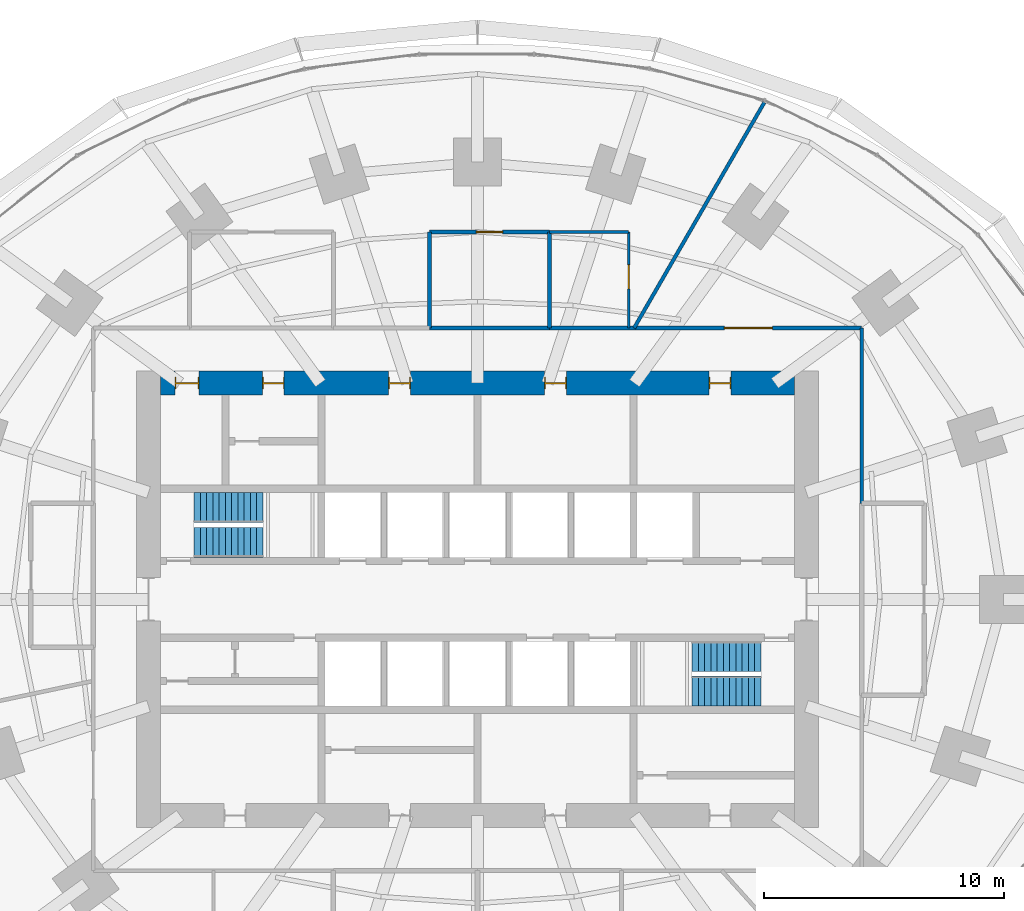
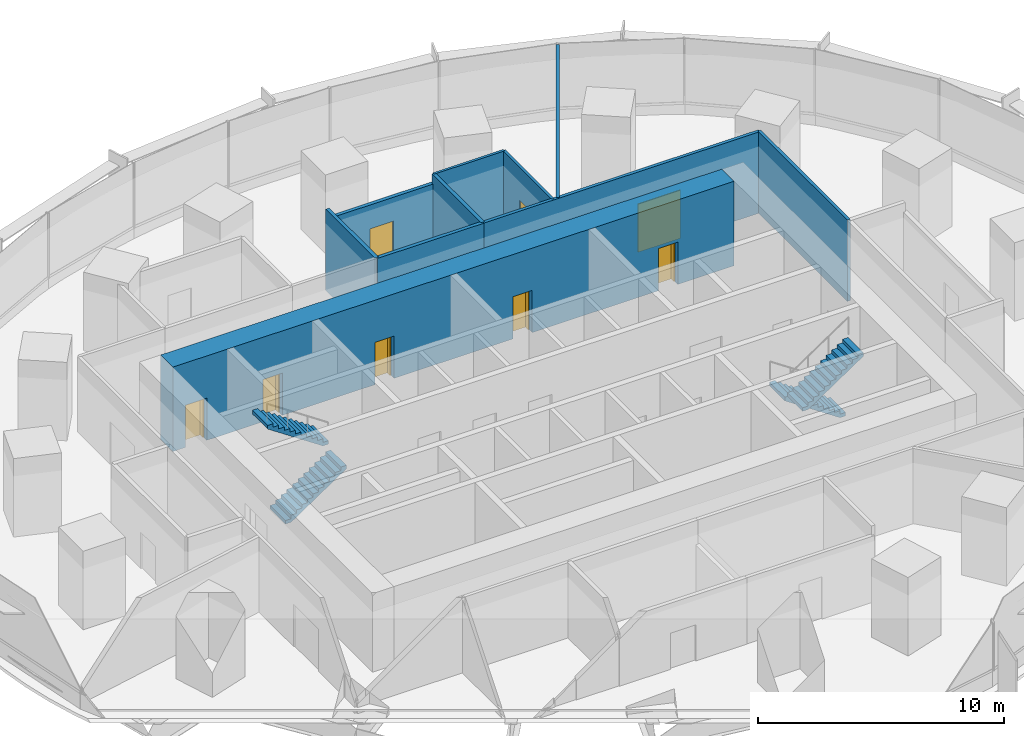
# One storey, part 13 of 15: 10 walls, 8 doors, 4 stair flights, 8 openings, 2 elements without a shape of their own.
"""IFC4 building model written with IfcOpenShell, lengths in metres."""

from ifc_helpers import new_model, si_unit, direction, frame, frame_2d, origin, place, context, subcontext, project, spatial, polyline, rectangle, outline, extrude, material, layer, layer_set, type_object, element, fill, aggregate, save


model = new_model("IFC4")

# Units and contexts
model_context = context("Model", 3, precision=1e-05, world=origin(), true_north=direction((0.0, 1.0)))
body_context = subcontext(model_context, "Body", "Model", "MODEL_VIEW")
ifc_project = project(units=[si_unit("LENGTHUNIT", "METRE"), si_unit("AREAUNIT", "SQUARE_METRE"), si_unit("VOLUMEUNIT", "CUBIC_METRE"), si_unit("PLANEANGLEUNIT", "RADIAN"), si_unit("MASSUNIT", "GRAM", prefix="KILO")], contexts=[model_context])

# Site, building, storey
site_placement = place(None, origin())
site = spatial("IfcSite", under=ifc_project, at=site_placement, CompositionType="ELEMENT")
building_placement = place(site_placement, origin())
building = spatial("IfcBuilding", under=site, at=building_placement, Name="Marramba Exchange Tower", CompositionType="ELEMENT")
storey_placement = place(building_placement, frame((0.0, 0.0, 53.199951171875)))
storey = spatial("IfcBuildingStorey", under=building, at=storey_placement, Name="L12", CompositionType="ELEMENT", Elevation=53.199951171875)

# Walls
ifc_material_1 = material(Name="Plasterboard on staggered double steel studs, acoustic insulation", Category="steel")
ifc_layer_1 = layer(ifc_material_1, 0.169921875)
ifc_layer_set_1 = layer_set([ifc_layer_1], Name="Acoustic partition 170")
wall_type_1 = type_object("IfcWallType", Name="Acoustic partition 170", PredefinedType="PARTITIONING", material=ifc_layer_set_1)
wall_1_placement = place(storey_placement, frame((3.0, 15.300048828125, 0.0), z_axis=(0.0, 0.0, 1.0), x_axis=(0.0, -1.0, 0.0)))
element("IfcWall", 1, at=wall_1_placement, inside=storey, type_object=wall_type_1, Name="Acoustic partition L12 26", PredefinedType="PARTITIONING", context=body_context, shape_type="SweptSolid", body=[
    extrude(rectangle(XDim=4.0, YDim=0.169921875, at=frame_2d((2.0, 0.0))), origin(), (0.0, 0.0, 1.0), 4.0400390625),
])
wall_2_placement = place(storey_placement, frame((-2.0, 11.300048828125, 0.0), z_axis=(0.0, 0.0, 1.0), x_axis=(1.0, 0.0, 0.0)))
element("IfcWall", 2, at=wall_2_placement, inside=storey, type_object=wall_type_1, Name="Acoustic partition L12 27", PredefinedType="PARTITIONING", context=body_context, shape_type="SweptSolid", body=[
    extrude(rectangle(XDim=5.0, YDim=0.169921875, at=frame_2d((2.5, 0.0))), origin(), (0.0, 0.0, 1.0), 4.0400390625),
])

# Wall, opening, door
wall_3_placement = place(storey_placement, frame((3.0, 15.300048828125, 0.0), z_axis=(0.0, 0.0, 1.0), x_axis=(-1.0, 0.0, 0.0)))
wall_3 = element("IfcWall", 3, at=wall_3_placement, inside=storey, type_object=wall_type_1, Name="Acoustic partition L12 28", PredefinedType="PARTITIONING", context=body_context, shape_type="SweptSolid", body=[
    extrude(rectangle(XDim=5.0, YDim=0.169921875, at=frame_2d((2.5, 0.0))), origin(), (0.0, 0.0, 1.0), 3.5859375),
])
opening_1_placement = place(wall_3_placement, frame((1.949951171875, 0.0, 0.0)))
opening_1 = element("IfcOpeningElement", 4, at=opening_1_placement, cuts=wall_3, Name="Opening D15", PredefinedType="OPENING", context=body_context, shape_type="SweptSolid", body=[
    extrude(rectangle(XDim=1.10009765625, YDim=2.39990234375, at=frame_2d((0.550048828125, 1.199951171875))), frame((0.0, 0.094970703125, 0.0), z_axis=(0.0, -1.0, 0.0), x_axis=(1.0, 0.0, 0.0)), (0.0, 0.0, 1.0), 0.18994140625),
])
ifc_material_2 = material(Name="Timber door", Category="wood")
door_type_1 = type_object("IfcDoorType", Name="Glazed meeting room door 1100x2400", OperationType="SINGLE_SWING_LEFT", PredefinedType="DOOR", material=ifc_material_2)
door_1_placement = place(opening_1_placement, origin())
door_1 = element("IfcDoor", 5, at=door_1_placement, inside=storey, type_object=door_type_1, Name="D15 Meeting Room 1 L12", OperationType="SINGLE_SWING_RIGHT", OverallHeight=2.39990234375, OverallWidth=1.10009765625, PredefinedType="DOOR", context=body_context, shape_type="SweptSolid", body=[
    extrude(rectangle(XDim=1.10009765625, YDim=2.39990234375, at=frame_2d((0.550048828125, 1.199951171875))), frame((0.0, 0.02490234375, 0.0), z_axis=(0.0, -1.0, 0.0), x_axis=(1.0, 0.0, 0.0)), (0.0, 0.0, 1.0), 0.050048828125),
])
fill(opening_1, door_1)

# Wall
wall_4_placement = place(storey_placement, frame((-2.0, 15.300048828125, 0.0), z_axis=(0.0, 0.0, 1.0), x_axis=(0.0, -1.0, 0.0)))
element("IfcWall", 6, at=wall_4_placement, inside=storey, type_object=wall_type_1, Name="Acoustic partition L12 29", PredefinedType="PARTITIONING", context=body_context, shape_type="SweptSolid", body=[
    extrude(rectangle(XDim=4.0, YDim=0.169921875, at=frame_2d((2.0, 0.0))), origin(), (0.0, 0.0, 1.0), 4.0400390625),
])

# Wall, openings, doors
ifc_material_3 = material(Name="Concrete N50", Category="concrete")
ifc_layer_2 = layer(ifc_material_3, 1.0)
ifc_layer_set_2 = layer_set([ifc_layer_2], Name="Core wall 1000")
wall_type_2 = type_object("IfcWallType", Name="Core wall 1000", PredefinedType="SHEAR", material=ifc_layer_set_2)
wall_5_placement = place(storey_placement, frame((13.199951171875, 9.0, 0.0), z_axis=(0.0, 0.0, 1.0), x_axis=(-1.0, 0.0, 0.0)))
wall_5 = element("IfcWall", 7, at=wall_5_placement, inside=storey, type_object=wall_type_2, Name="Core wall N L12", PredefinedType="SHEAR", context=body_context, shape_type="SweptSolid", body=[
    extrude(rectangle(XDim=26.39990234375, YDim=1.0, at=frame_2d((13.199951171875, 0.0))), origin(), (0.0, 0.0, 1.0), 4.199951171875),
])
opening_2_placement = place(wall_5_placement, frame((2.64990234375, 0.0, 0.0)))
opening_2 = element("IfcOpeningElement", 8, at=opening_2_placement, cuts=wall_5, Name="Opening D5", PredefinedType="OPENING", context=body_context, shape_type="SweptSolid", body=[
    extrude(rectangle(XDim=0.89990234375, YDim=2.10009765625, at=frame_2d((0.449951171875, 1.050048828125))), frame((0.0, 0.510009765625, 0.0), z_axis=(0.0, -1.0, 0.0), x_axis=(1.0, 0.0, 0.0)), (0.0, 0.0, 1.0), 1.02001953125),
])
opening_3_placement = place(wall_5_placement, frame((9.5, 0.0, 0.0)))
opening_3 = element("IfcOpeningElement", 9, at=opening_3_placement, cuts=wall_5, Name="Opening D3", PredefinedType="OPENING", context=body_context, shape_type="SweptSolid", body=[
    extrude(rectangle(XDim=0.89990234375, YDim=2.10009765625, at=frame_2d((0.449951171875, 1.050048828125))), frame((0.0, 0.510009765625, 0.0), z_axis=(0.0, -1.0, 0.0), x_axis=(1.0, 0.0, 0.0)), (0.0, 0.0, 1.0), 1.02001953125),
])
opening_4_placement = place(wall_5_placement, frame((16.0, 0.0, 0.0)))
opening_4 = element("IfcOpeningElement", 10, at=opening_4_placement, cuts=wall_5, Name="Opening D3", PredefinedType="OPENING", context=body_context, shape_type="SweptSolid", body=[
    extrude(rectangle(XDim=0.89990234375, YDim=2.10009765625, at=frame_2d((0.449951171875, 1.050048828125))), frame((0.0, 0.510009765625, 0.0), z_axis=(0.0, -1.0, 0.0), x_axis=(1.0, 0.0, 0.0)), (0.0, 0.0, 1.0), 1.02001953125),
])
opening_5_placement = place(wall_5_placement, frame((21.25, 0.0, 0.0)))
opening_5 = element("IfcOpeningElement", 11, at=opening_5_placement, cuts=wall_5, Name="Opening D5", PredefinedType="OPENING", context=body_context, shape_type="SweptSolid", body=[
    extrude(rectangle(XDim=0.89990234375, YDim=2.10009765625, at=frame_2d((0.449951171875, 1.050048828125))), frame((0.0, 0.510009765625, 0.0), z_axis=(0.0, -1.0, 0.0), x_axis=(1.0, 0.0, 0.0)), (0.0, 0.0, 1.0), 1.02001953125),
])
opening_6_placement = place(wall_5_placement, frame((24.800048828125, 0.0, 0.0)))
opening_6 = element("IfcOpeningElement", 12, at=opening_6_placement, cuts=wall_5, Name="Opening D4", PredefinedType="OPENING", context=body_context, shape_type="SweptSolid", body=[
    extrude(rectangle(XDim=1.0, YDim=2.10009765625, at=frame_2d((0.5, 1.050048828125))), frame((0.0, 0.510009765625, 0.0), z_axis=(0.0, -1.0, 0.0), x_axis=(1.0, 0.0, 0.0)), (0.0, 0.0, 1.0), 1.02001953125),
])
ifc_material_4 = material(Name="Steel-framed door", Category="steel")
door_type_2 = type_object("IfcDoorType", Name="Accessible toilet door 1000x2100", OperationType="SINGLE_SWING_LEFT", PredefinedType="DOOR", material=ifc_material_4)
door_2_placement = place(opening_6_placement, origin())
door_2 = element("IfcDoor", 13, at=door_2_placement, inside=storey, type_object=door_type_2, Name="D4 awc L12", OperationType="SINGLE_SWING_RIGHT", OverallHeight=2.10009765625, OverallWidth=1.0, PredefinedType="DOOR", context=body_context, shape_type="SweptSolid", body=[
    extrude(rectangle(XDim=0.919921875, YDim=2.06005859375, at=frame_2d((0.5, 1.030029296875))), frame((0.0, 0.02490234375, 0.0), z_axis=(0.0, -1.0, 0.0), x_axis=(1.0, 0.0, 0.0)), (0.0, 0.0, 1.0), 0.050048828125),
    extrude(rectangle(XDim=0.04, YDim=2.10009765625, at=frame_2d((0.02001953125, 1.050048828125))), frame((0.0, 0.25, 0.0), z_axis=(0.0, -1.0, 0.0), x_axis=(1.0, 0.0, 0.0)), (0.0, 0.0, 1.0), 0.5),
    extrude(rectangle(XDim=0.04, YDim=2.10009765625, at=frame_2d((0.97998046875, 1.050048828125))), frame((0.0, 0.25, 0.0), z_axis=(0.0, -1.0, 0.0), x_axis=(1.0, 0.0, 0.0)), (0.0, 0.0, 1.0), 0.5),
    extrude(rectangle(XDim=0.919921875, YDim=0.04, at=frame_2d((0.5, 2.080078125))), frame((0.0, 0.25, 0.0), z_axis=(0.0, -1.0, 0.0), x_axis=(1.0, 0.0, 0.0)), (0.0, 0.0, 1.0), 0.5),
])
fill(opening_6, door_2)
door_type_3 = type_object("IfcDoorType", Name="Service door 900x2100", OperationType="SINGLE_SWING_LEFT", PredefinedType="DOOR", material=ifc_material_4)
door_3_placement = place(opening_2_placement, origin())
door_3 = element("IfcDoor", 14, at=door_3_placement, inside=storey, type_object=door_type_3, Name="D5 comms L12", OperationType="SINGLE_SWING_LEFT", OverallHeight=2.10009765625, OverallWidth=0.89990234375, PredefinedType="DOOR", context=body_context, shape_type="SweptSolid", body=[
    extrude(rectangle(XDim=0.81982421875, YDim=2.06005859375, at=frame_2d((0.449951171875, 1.030029296875))), frame((0.0, 0.02490234375, 0.0), z_axis=(0.0, -1.0, 0.0), x_axis=(1.0, 0.0, 0.0)), (0.0, 0.0, 1.0), 0.050048828125),
    extrude(rectangle(XDim=0.04, YDim=2.10009765625, at=frame_2d((0.02001953125, 1.050048828125))), frame((0.0, 0.25, 0.0), z_axis=(0.0, -1.0, 0.0), x_axis=(1.0, 0.0, 0.0)), (0.0, 0.0, 1.0), 0.5),
    extrude(rectangle(XDim=0.04, YDim=2.10009765625, at=frame_2d((0.8798828125, 1.050048828125))), frame((0.0, 0.25, 0.0), z_axis=(0.0, -1.0, 0.0), x_axis=(1.0, 0.0, 0.0)), (0.0, 0.0, 1.0), 0.5),
    extrude(rectangle(XDim=0.81982421875, YDim=0.04, at=frame_2d((0.449951171875, 2.080078125))), frame((0.0, 0.25, 0.0), z_axis=(0.0, -1.0, 0.0), x_axis=(1.0, 0.0, 0.0)), (0.0, 0.0, 1.0), 0.5),
])
fill(opening_2, door_3)
door_4_placement = place(opening_5_placement, origin())
door_4 = element("IfcDoor", 15, at=door_4_placement, inside=storey, type_object=door_type_3, Name="D5 cleaner L12", OperationType="SINGLE_SWING_RIGHT", OverallHeight=2.10009765625, OverallWidth=0.89990234375, PredefinedType="DOOR", context=body_context, shape_type="SweptSolid", body=[
    extrude(rectangle(XDim=0.81982421875, YDim=2.06005859375, at=frame_2d((0.449951171875, 1.030029296875))), frame((0.0, 0.02490234375, 0.0), z_axis=(0.0, -1.0, 0.0), x_axis=(1.0, 0.0, 0.0)), (0.0, 0.0, 1.0), 0.050048828125),
    extrude(rectangle(XDim=0.04, YDim=2.10009765625, at=frame_2d((0.02001953125, 1.050048828125))), frame((0.0, 0.25, 0.0), z_axis=(0.0, -1.0, 0.0), x_axis=(1.0, 0.0, 0.0)), (0.0, 0.0, 1.0), 0.5),
    extrude(rectangle(XDim=0.04, YDim=2.10009765625, at=frame_2d((0.8798828125, 1.050048828125))), frame((0.0, 0.25, 0.0), z_axis=(0.0, -1.0, 0.0), x_axis=(1.0, 0.0, 0.0)), (0.0, 0.0, 1.0), 0.5),
    extrude(rectangle(XDim=0.81982421875, YDim=0.04, at=frame_2d((0.449951171875, 2.080078125))), frame((0.0, 0.25, 0.0), z_axis=(0.0, -1.0, 0.0), x_axis=(1.0, 0.0, 0.0)), (0.0, 0.0, 1.0), 0.5),
])
fill(opening_5, door_4)
door_type_4 = type_object("IfcDoorType", Name="Toilet door 900x2100", OperationType="SINGLE_SWING_LEFT", PredefinedType="DOOR", material=ifc_material_4)
door_5_placement = place(opening_3_placement, origin())
door_5 = element("IfcDoor", 16, at=door_5_placement, inside=storey, type_object=door_type_4, Name="D3 wc-f L12", OperationType="SINGLE_SWING_RIGHT", OverallHeight=2.10009765625, OverallWidth=0.89990234375, PredefinedType="DOOR", context=body_context, shape_type="SweptSolid", body=[
    extrude(rectangle(XDim=0.81982421875, YDim=2.06005859375, at=frame_2d((0.449951171875, 1.030029296875))), frame((0.0, 0.02490234375, 0.0), z_axis=(0.0, -1.0, 0.0), x_axis=(1.0, 0.0, 0.0)), (0.0, 0.0, 1.0), 0.050048828125),
    extrude(rectangle(XDim=0.04, YDim=2.10009765625, at=frame_2d((0.02001953125, 1.050048828125))), frame((0.0, 0.25, 0.0), z_axis=(0.0, -1.0, 0.0), x_axis=(1.0, 0.0, 0.0)), (0.0, 0.0, 1.0), 0.5),
    extrude(rectangle(XDim=0.04, YDim=2.10009765625, at=frame_2d((0.8798828125, 1.050048828125))), frame((0.0, 0.25, 0.0), z_axis=(0.0, -1.0, 0.0), x_axis=(1.0, 0.0, 0.0)), (0.0, 0.0, 1.0), 0.5),
    extrude(rectangle(XDim=0.81982421875, YDim=0.04, at=frame_2d((0.449951171875, 2.080078125))), frame((0.0, 0.25, 0.0), z_axis=(0.0, -1.0, 0.0), x_axis=(1.0, 0.0, 0.0)), (0.0, 0.0, 1.0), 0.5),
])
fill(opening_3, door_5)
door_6_placement = place(opening_4_placement, origin())
door_6 = element("IfcDoor", 17, at=door_6_placement, inside=storey, type_object=door_type_4, Name="D3 wc-m L12", OperationType="SINGLE_SWING_RIGHT", OverallHeight=2.10009765625, OverallWidth=0.89990234375, PredefinedType="DOOR", context=body_context, shape_type="SweptSolid", body=[
    extrude(rectangle(XDim=0.81982421875, YDim=2.06005859375, at=frame_2d((0.449951171875, 1.030029296875))), frame((0.0, 0.02490234375, 0.0), z_axis=(0.0, -1.0, 0.0), x_axis=(1.0, 0.0, 0.0)), (0.0, 0.0, 1.0), 0.050048828125),
    extrude(rectangle(XDim=0.04, YDim=2.10009765625, at=frame_2d((0.02001953125, 1.050048828125))), frame((0.0, 0.25, 0.0), z_axis=(0.0, -1.0, 0.0), x_axis=(1.0, 0.0, 0.0)), (0.0, 0.0, 1.0), 0.5),
    extrude(rectangle(XDim=0.04, YDim=2.10009765625, at=frame_2d((0.8798828125, 1.050048828125))), frame((0.0, 0.25, 0.0), z_axis=(0.0, -1.0, 0.0), x_axis=(1.0, 0.0, 0.0)), (0.0, 0.0, 1.0), 0.5),
    extrude(rectangle(XDim=0.81982421875, YDim=0.04, at=frame_2d((0.449951171875, 2.080078125))), frame((0.0, 0.25, 0.0), z_axis=(0.0, -1.0, 0.0), x_axis=(1.0, 0.0, 0.0)), (0.0, 0.0, 1.0), 0.5),
])
fill(opening_4, door_6)

# Wall, opening, door
ifc_material_5 = material(Name="Plasterboard on steel studs", Category="steel")
ifc_layer_3 = layer(ifc_material_5, 0.1201171875)
ifc_layer_set_3 = layer_set([ifc_layer_3], Name="Partition 120")
wall_type_3 = type_object("IfcWallType", Name="Partition 120", PredefinedType="PARTITIONING", material=ifc_layer_set_3)
wall_6_placement = place(storey_placement, frame((6.300048828125, 11.300048828125, 0.0), z_axis=(0.0, 0.0, 1.0), x_axis=(0.0, 1.0, 0.0)))
wall_6 = element("IfcWall", 18, at=wall_6_placement, inside=storey, type_object=wall_type_3, Name="Partition L12 24", PredefinedType="PARTITIONING", context=body_context, shape_type="SweptSolid", body=[
    extrude(rectangle(XDim=4.0, YDim=0.1201171875, at=frame_2d((2.0, 0.0))), origin(), (0.0, 0.0, 1.0), 4.0400390625),
])
opening_7_placement = place(wall_6_placement, frame((1.6279296875, 0.0, 0.0)))
opening_7 = element("IfcOpeningElement", 19, at=opening_7_placement, cuts=wall_6, Name="Opening D9", PredefinedType="OPENING", context=body_context, shape_type="SweptSolid", body=[
    extrude(rectangle(XDim=1.0, YDim=2.39990234375, at=frame_2d((0.5, 1.199951171875))), frame((0.0, 0.070068359375, 0.0), z_axis=(0.0, -1.0, 0.0), x_axis=(1.0, 0.0, 0.0)), (0.0, 0.0, 1.0), 0.14013671875),
])
door_type_5 = type_object("IfcDoorType", Name="Room door 1000x2400", OperationType="SINGLE_SWING_LEFT", PredefinedType="DOOR", material=ifc_material_2)
door_7_placement = place(opening_7_placement, origin())
door_7 = element("IfcDoor", 20, at=door_7_placement, inside=storey, type_object=door_type_5, Name="D9 Pantry 1 L12", OperationType="SINGLE_SWING_RIGHT", OverallHeight=2.39990234375, OverallWidth=1.0, PredefinedType="DOOR", context=body_context, shape_type="SweptSolid", body=[
    extrude(rectangle(XDim=1.0, YDim=2.39990234375, at=frame_2d((0.5, 1.199951171875))), frame((0.0, 0.02490234375, 0.0), z_axis=(0.0, -1.0, 0.0), x_axis=(1.0, 0.0, 0.0)), (0.0, 0.0, 1.0), 0.050048828125),
])
fill(opening_7, door_7)

# Walls
wall_7_placement = place(storey_placement, frame((6.300048828125, 15.300048828125, 0.0), z_axis=(0.0, 0.0, 1.0), x_axis=(-1.0, 0.0, 0.0)))
element("IfcWall", 21, at=wall_7_placement, inside=storey, type_object=wall_type_3, Name="Partition L12 25", PredefinedType="PARTITIONING", context=body_context, shape_type="SweptSolid", body=[
    extrude(rectangle(XDim=3.300048828125, YDim=0.1201171875, at=frame_2d((1.64990234375, 0.0))), origin(), (0.0, 0.0, 1.0), 4.0400390625),
])
ifc_material_6 = material(Name="Fire-rated plasterboard on steel studs, acoustic insulation", Category="steel")
ifc_layer_4 = layer(ifc_material_6, 0.14990234375)
ifc_layer_set_4 = layer_set([ifc_layer_4], Name="Tenancy wall 150")
wall_type_4 = type_object("IfcWallType", Name="Tenancy wall 150", PredefinedType="PARTITIONING", material=ifc_layer_set_4)
wall_8_placement = place(storey_placement, frame((16.0, 4.0, 0.0), z_axis=(0.0, 0.0, 1.0), x_axis=(0.0, 1.0, 0.0)))
element("IfcWall", 22, at=wall_8_placement, inside=storey, type_object=wall_type_4, Name="Tenancy wall L12 21", PredefinedType="PARTITIONING", context=body_context, shape_type="SweptSolid", body=[
    extrude(rectangle(XDim=7.300048828125, YDim=0.14990234375, at=frame_2d((3.64990234375, 0.0))), origin(), (0.0, 0.0, 1.0), 4.0400390625),
])

# Wall, opening, door
wall_9_placement = place(storey_placement, frame((16.0, 11.300048828125, 0.0), z_axis=(0.0, 0.0, 1.0), x_axis=(-1.0, 0.0, 0.0)))
wall_9 = element("IfcWall", 23, at=wall_9_placement, inside=storey, type_object=wall_type_4, Name="Tenancy wall L12 22", PredefinedType="PARTITIONING", context=body_context, shape_type="SweptSolid", body=[
    extrude(rectangle(XDim=13.0, YDim=0.14990234375, at=frame_2d((6.5, 0.0))), origin(), (0.0, 0.0, 1.0), 4.0400390625),
])
opening_8_placement = place(wall_9_placement, frame((3.712890625, 0.0, 0.0)))
opening_8 = element("IfcOpeningElement", 24, at=opening_8_placement, cuts=wall_9, Name="Opening D17", PredefinedType="OPENING", context=body_context, shape_type="SweptSolid", body=[
    extrude(rectangle(XDim=2.0, YDim=2.39990234375, at=frame_2d((1.0, 1.199951171875))), frame((0.0, 0.0849609375, 0.0), z_axis=(0.0, -1.0, 0.0), x_axis=(1.0, 0.0, 0.0)), (0.0, 0.0, 1.0), 0.169921875),
])
door_type_6 = type_object("IfcDoorType", Name="Trading floor entry door pair 2000x2400", OperationType="DOUBLE_DOOR_SINGLE_SWING", PredefinedType="DOOR", material=ifc_material_4)
door_8_placement = place(opening_8_placement, origin())
door_8 = element("IfcDoor", 25, at=door_8_placement, inside=storey, type_object=door_type_6, Name="D17 Trading Floor 1 L12", OperationType="DOUBLE_DOOR_SINGLE_SWING", OverallHeight=2.39990234375, OverallWidth=2.0, PredefinedType="DOOR", context=body_context, shape_type="SweptSolid", body=[
    extrude(rectangle(XDim=2.0, YDim=2.39990234375, at=frame_2d((1.0, 1.199951171875))), frame((0.0, 0.02490234375, 0.0), z_axis=(0.0, -1.0, 0.0), x_axis=(1.0, 0.0, 0.0)), (0.0, 0.0, 1.0), 0.050048828125),
])
fill(opening_8, door_8)

# Wall
wall_10_placement = place(storey_placement, frame((6.524169921875, 11.300048828125, 0.0), z_axis=(0.0, 0.0, 1.0), x_axis=(0.499989292232, 0.866031585829, 0.0)))
element("IfcWall", 26, at=wall_10_placement, inside=storey, type_object=wall_type_4, Name="Tenancy wall L12 23", PredefinedType="PARTITIONING", context=body_context, shape_type="SweptSolid", body=[
    extrude(rectangle(XDim=10.850341796875, YDim=0.14990234375, at=frame_2d((5.42529296875, 0.0))), origin(), (0.0, 0.0, 1.0), 4.0400390625),
])

# Stair, stair flights
ifc_material_7 = material(Name="Concrete N40 (40 MPa)", Category="concrete")
stair_type_1 = type_object("IfcStairType", Name="Exit stair ST1 4200 x 1250", PredefinedType="HALF_TURN_STAIR", material=ifc_material_7)
stair_1_placement = place(storey_placement, origin())
stair_1 = element("IfcStair", 27, at=stair_1_placement, inside=storey, type_object=stair_type_1, Name="Exit stair ST1 L12", PredefinedType="HALF_TURN_STAIR")
stair_flight_type_1 = type_object("IfcStairFlightType", Name="ST1 stair flight 1750 riser 1250 wide", PredefinedType="STRAIGHT", material=ifc_material_7)
stair_flight_1_placement = place(storey_placement, frame((-11.800048828125, 2.375, 0.0), z_axis=(0.0, 0.0, 1.0), x_axis=(1.0, 0.0, 0.0)))
stair_flight_1 = element("IfcStairFlight", 28, at=stair_flight_1_placement, type_object=stair_flight_type_1, Name="ST1 flight 1", NumberOfRisers=12, NumberOfTreads=11, PredefinedType="STRAIGHT", RiserHeight=0.175, TreadLength=0.26, context=body_context, shape_type="SweptSolid", body=[
    extrude(outline(polyline([(0.0, 0.0), (0.0, 0.175048828125), (0.260009765625, 0.175048828125), (0.260009765625, 0.35009765625), (0.52001953125, 0.35009765625), (0.52001953125, 0.52490234375), (0.780029296875, 0.52490234375), (0.780029296875, 0.699951171875), (1.0400390625, 0.699951171875), (1.0400390625, 0.875), (1.300048828125, 0.875), (1.300048828125, 1.050048828125), (1.56005859375, 1.050048828125), (1.56005859375, 1.22509765625), (1.820068359375, 1.22509765625), (1.820068359375, 1.39990234375), (2.080078125, 1.39990234375), (2.080078125, 1.574951171875), (2.340087890625, 1.574951171875), (2.340087890625, 1.75), (2.60009765625, 1.75), (2.60009765625, 1.925048828125), (2.860107421875, 1.925048828125), (2.860107421875, 2.10009765625), (2.860107421875, 1.744384765625), (0.2685546875, 0.0), (0.0, 0.0)])), frame((0.0, 0.625, 0.0), z_axis=(0.0, -1.0, 0.0), x_axis=(1.0, 0.0, 0.0)), (0.0, 0.0, 1.0), 1.25),
])
stair_flight_2_placement = place(storey_placement, frame((-8.93994140625, 3.824951171875, 2.10009765625), z_axis=(0.0, 0.0, 1.0), x_axis=(-1.0, 0.0, 0.0)))
stair_flight_2 = element("IfcStairFlight", 29, at=stair_flight_2_placement, type_object=stair_flight_type_1, Name="ST1 flight 2", NumberOfRisers=12, NumberOfTreads=11, PredefinedType="STRAIGHT", RiserHeight=0.175, TreadLength=0.26, context=body_context, shape_type="SweptSolid", body=[
    extrude(outline(polyline([(0.0, 0.0), (0.0, 0.175048828125), (0.260009765625, 0.175048828125), (0.260009765625, 0.35009765625), (0.52001953125, 0.35009765625), (0.52001953125, 0.52490234375), (0.780029296875, 0.52490234375), (0.780029296875, 0.699951171875), (1.0400390625, 0.699951171875), (1.0400390625, 0.875), (1.300048828125, 0.875), (1.300048828125, 1.050048828125), (1.56005859375, 1.050048828125), (1.56005859375, 1.22509765625), (1.820068359375, 1.22509765625), (1.820068359375, 1.39990234375), (2.080078125, 1.39990234375), (2.080078125, 1.574951171875), (2.340087890625, 1.574951171875), (2.340087890625, 1.75), (2.60009765625, 1.75), (2.60009765625, 1.925048828125), (2.860107421875, 1.925048828125), (2.860107421875, 2.10009765625), (2.860107421875, 1.744384765625), (0.2685546875, 0.0), (0.0, 0.0)])), frame((0.0, 0.625, 0.0), z_axis=(0.0, -1.0, 0.0), x_axis=(1.0, 0.0, 0.0)), (0.0, 0.0, 1.0), 1.25),
])
aggregate(stair_1, [stair_flight_1, stair_flight_2])

stair_type_2 = type_object("IfcStairType", Name="Exit stair ST2 4200 x 1250", PredefinedType="HALF_TURN_STAIR", material=ifc_material_7)
stair_2_placement = place(storey_placement, origin())
stair_2 = element("IfcStair", 30, at=stair_2_placement, inside=storey, type_object=stair_type_2, Name="Exit stair ST2 L12", PredefinedType="HALF_TURN_STAIR")
stair_flight_type_2 = type_object("IfcStairFlightType", Name="ST2 stair flight 1750 riser 1250 wide", PredefinedType="STRAIGHT", material=ifc_material_7)
stair_flight_3_placement = place(storey_placement, frame((11.800048828125, -2.375, 0.0), z_axis=(0.0, 0.0, 1.0), x_axis=(-1.0, 0.0, 0.0)))
stair_flight_3 = element("IfcStairFlight", 31, at=stair_flight_3_placement, type_object=stair_flight_type_2, Name="ST2 flight 1", NumberOfRisers=12, NumberOfTreads=11, PredefinedType="STRAIGHT", RiserHeight=0.175, TreadLength=0.26, context=body_context, shape_type="SweptSolid", body=[
    extrude(outline(polyline([(0.0, 0.0), (0.0, 0.175048828125), (0.260009765625, 0.175048828125), (0.260009765625, 0.35009765625), (0.52001953125, 0.35009765625), (0.52001953125, 0.52490234375), (0.780029296875, 0.52490234375), (0.780029296875, 0.699951171875), (1.0400390625, 0.699951171875), (1.0400390625, 0.875), (1.300048828125, 0.875), (1.300048828125, 1.050048828125), (1.56005859375, 1.050048828125), (1.56005859375, 1.22509765625), (1.820068359375, 1.22509765625), (1.820068359375, 1.39990234375), (2.080078125, 1.39990234375), (2.080078125, 1.574951171875), (2.340087890625, 1.574951171875), (2.340087890625, 1.75), (2.60009765625, 1.75), (2.60009765625, 1.925048828125), (2.860107421875, 1.925048828125), (2.860107421875, 2.10009765625), (2.860107421875, 1.744384765625), (0.2685546875, 0.0), (0.0, 0.0)])), frame((0.0, 0.625, 0.0), z_axis=(0.0, -1.0, 0.0), x_axis=(1.0, 0.0, 0.0)), (0.0, 0.0, 1.0), 1.25),
])
stair_flight_4_placement = place(storey_placement, frame((8.93994140625, -3.824951171875, 2.10009765625), z_axis=(0.0, 0.0, 1.0), x_axis=(1.0, 0.0, 0.0)))
stair_flight_4 = element("IfcStairFlight", 32, at=stair_flight_4_placement, type_object=stair_flight_type_2, Name="ST2 flight 2", NumberOfRisers=12, NumberOfTreads=11, PredefinedType="STRAIGHT", RiserHeight=0.175, TreadLength=0.26, context=body_context, shape_type="SweptSolid", body=[
    extrude(outline(polyline([(0.0, 0.0), (0.0, 0.175048828125), (0.260009765625, 0.175048828125), (0.260009765625, 0.35009765625), (0.52001953125, 0.35009765625), (0.52001953125, 0.52490234375), (0.780029296875, 0.52490234375), (0.780029296875, 0.699951171875), (1.0400390625, 0.699951171875), (1.0400390625, 0.875), (1.300048828125, 0.875), (1.300048828125, 1.050048828125), (1.56005859375, 1.050048828125), (1.56005859375, 1.22509765625), (1.820068359375, 1.22509765625), (1.820068359375, 1.39990234375), (2.080078125, 1.39990234375), (2.080078125, 1.574951171875), (2.340087890625, 1.574951171875), (2.340087890625, 1.75), (2.60009765625, 1.75), (2.60009765625, 1.925048828125), (2.860107421875, 1.925048828125), (2.860107421875, 2.10009765625), (2.860107421875, 1.744384765625), (0.2685546875, 0.0), (0.0, 0.0)])), frame((0.0, 0.625, 0.0), z_axis=(0.0, -1.0, 0.0), x_axis=(1.0, 0.0, 0.0)), (0.0, 0.0, 1.0), 1.25),
])
aggregate(stair_2, [stair_flight_3, stair_flight_4])

save(model, "model.ifc")
